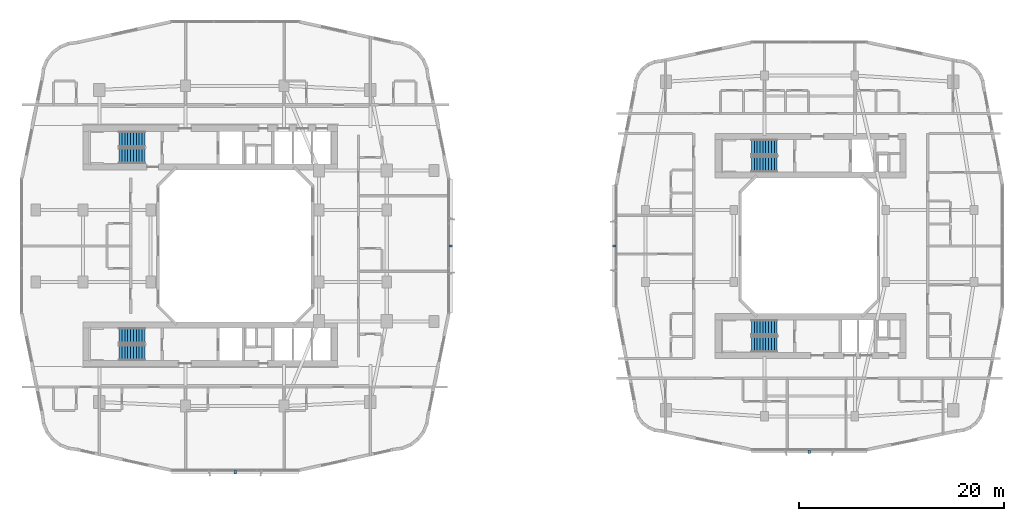
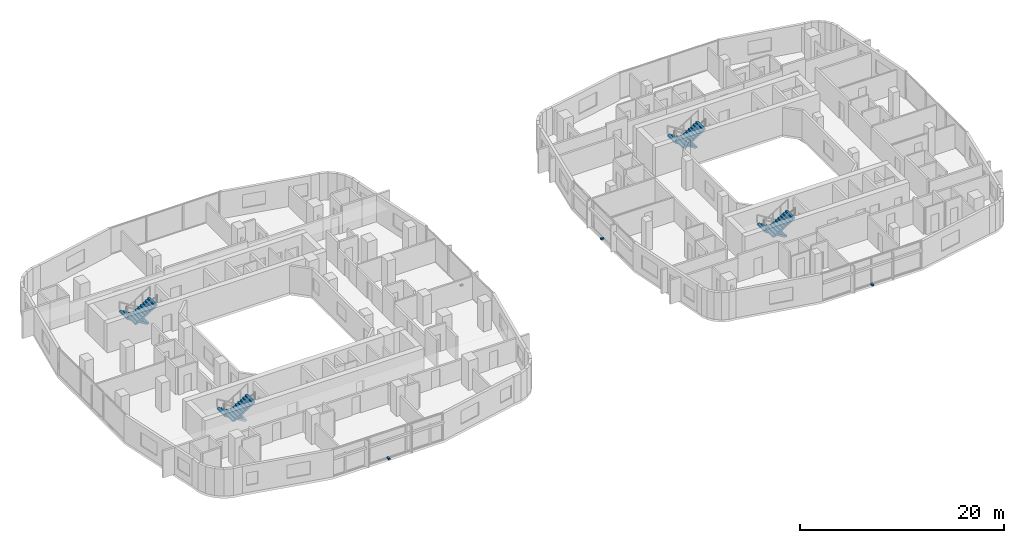
# One storey, part 22 of 27: 8 stair flights, 4 discrete accessories, 4 elements without a shape of their own.
"""IFC4 building model written with IfcOpenShell, lengths in metres."""

from ifc_helpers import new_model, si_unit, derived_unit, direction, frame, origin, origin_2d, place, context, subcontext, project, spatial, polyline, rectangle, outline, extrude, material, type_object, element, aggregate, save


model = new_model("IFC4")

# Units and contexts
model_context = context("Model", 3, precision=1e-05, world=origin(), true_north=direction((0.0, 1.0)))
body_context = subcontext(model_context, "Body", "Model", "MODEL_VIEW")
ifc_project = project(units=[si_unit("LENGTHUNIT", "METRE"), si_unit("AREAUNIT", "SQUARE_METRE"), si_unit("VOLUMEUNIT", "CUBIC_METRE"), si_unit("PLANEANGLEUNIT", "RADIAN"), si_unit("MASSUNIT", "GRAM", prefix="KILO"), derived_unit("THERMALTRANSMITTANCEUNIT", [(si_unit("POWERUNIT", "WATT"), 1), (si_unit("LENGTHUNIT", "METRE"), -2), (si_unit("THERMODYNAMICTEMPERATUREUNIT", "KELVIN"), -1)])], contexts=[model_context])

# Site, building, storey
site_placement = place(None, origin())
site = spatial("IfcSite", under=ifc_project, at=site_placement, CompositionType="ELEMENT")
building_placement = place(site_placement, origin())
building = spatial("IfcBuilding", under=site, at=building_placement, Name="Kivonza Crest Hotel", CompositionType="ELEMENT")
storey_placement = place(building_placement, frame((0.0, 0.0, 31.0)))
storey = spatial("IfcBuildingStorey", under=building, at=storey_placement, Name="L07", CompositionType="ELEMENT", Elevation=31.0)

# Stair, stair flights
ifc_material_1 = material(Name="Concrete C40/50", Category="concrete")
stair_type = type_object("IfcStairType", Name="ST-DL-20R", PredefinedType="HALF_TURN_STAIR", material=ifc_material_1)
stair_1_placement = place(storey_placement, origin())
stair_1 = element("IfcStair", 1, at=stair_1_placement, inside=storey, type_object=stair_type, Name="L07 Protected Exit Stair ST-T1-N", PredefinedType="HALF_TURN_STAIR")
stair_flight_type = type_object("IfcStairFlightType", Name="SFL-RC-10R", PredefinedType="STRAIGHT", material=ifc_material_1)
stair_flight_1_placement = place(storey_placement, frame((12.239990234375, 35.409912109375, 0.0), z_axis=(0.0, 0.0, 1.0), x_axis=(-1.0, 0.0, 0.0)))
stair_flight_1 = element("IfcStairFlight", 2, at=stair_flight_1_placement, type_object=stair_flight_type, Name="ST-T1-N flight 1", NumberOfRisers=10, NumberOfTreads=9, PredefinedType="STRAIGHT", RiserHeight=0.175, TreadLength=0.28, context=body_context, shape_type="SweptSolid", body=[
    extrude(outline(polyline([(0.0, 0.0), (0.0, 0.175048828125), (0.280029296875, 0.175048828125), (0.280029296875, 0.35009765625), (0.56005859375, 0.35009765625), (0.56005859375, 0.52490234375), (0.840087890625, 0.52490234375), (0.840087890625, 0.699951171875), (1.1201171875, 0.699951171875), (1.1201171875, 0.875), (1.39990234375, 0.875), (1.39990234375, 1.050048828125), (1.679931640625, 1.050048828125), (1.679931640625, 1.22509765625), (1.9599609375, 1.22509765625), (1.9599609375, 1.39990234375), (2.239990234375, 1.39990234375), (2.239990234375, 1.574951171875), (2.52001953125, 1.574951171875), (2.52001953125, 1.75), (2.52001953125, 1.398193359375), (0.28271484375, 0.0), (0.0, 0.0)])), frame((0.0, 0.75, 0.0), z_axis=(0.0, -1.0, 0.0), x_axis=(1.0, 0.0, 0.0)), (0.0, 0.0, 1.0), 1.5),
])
stair_flight_2_placement = place(storey_placement, frame((9.719970703125, 33.77001953125, 1.75), z_axis=(0.0, 0.0, 1.0), x_axis=(1.0, 0.0, 0.0)))
stair_flight_2 = element("IfcStairFlight", 3, at=stair_flight_2_placement, type_object=stair_flight_type, Name="ST-T1-N flight 2", NumberOfRisers=10, NumberOfTreads=9, PredefinedType="STRAIGHT", RiserHeight=0.175, TreadLength=0.28, context=body_context, shape_type="SweptSolid", body=[
    extrude(outline(polyline([(0.0, 0.0), (0.0, 0.175048828125), (0.280029296875, 0.175048828125), (0.280029296875, 0.35009765625), (0.56005859375, 0.35009765625), (0.56005859375, 0.52490234375), (0.840087890625, 0.52490234375), (0.840087890625, 0.699951171875), (1.1201171875, 0.699951171875), (1.1201171875, 0.875), (1.39990234375, 0.875), (1.39990234375, 1.050048828125), (1.679931640625, 1.050048828125), (1.679931640625, 1.22509765625), (1.9599609375, 1.22509765625), (1.9599609375, 1.39990234375), (2.239990234375, 1.39990234375), (2.239990234375, 1.574951171875), (2.52001953125, 1.574951171875), (2.52001953125, 1.75), (2.52001953125, 1.398193359375), (0.28271484375, 0.0), (0.0, 0.0)])), frame((0.0, 0.75, 0.0), z_axis=(0.0, -1.0, 0.0), x_axis=(1.0, 0.0, 0.0)), (0.0, 0.0, 1.0), 1.5),
])
aggregate(stair_1, [stair_flight_1, stair_flight_2])

stair_2_placement = place(storey_placement, origin())
stair_2 = element("IfcStair", 4, at=stair_2_placement, inside=storey, type_object=stair_type, Name="L07 Protected Exit Stair ST-T1-S", PredefinedType="HALF_TURN_STAIR")
stair_flight_3_placement = place(storey_placement, frame((12.239990234375, 16.25, 0.0), z_axis=(0.0, 0.0, 1.0), x_axis=(-1.0, 0.0, 0.0)))
stair_flight_3 = element("IfcStairFlight", 5, at=stair_flight_3_placement, type_object=stair_flight_type, Name="ST-T1-S flight 1", NumberOfRisers=10, NumberOfTreads=9, PredefinedType="STRAIGHT", RiserHeight=0.175, TreadLength=0.28, context=body_context, shape_type="SweptSolid", body=[
    extrude(outline(polyline([(0.0, 0.0), (0.0, 0.175048828125), (0.280029296875, 0.175048828125), (0.280029296875, 0.35009765625), (0.56005859375, 0.35009765625), (0.56005859375, 0.52490234375), (0.840087890625, 0.52490234375), (0.840087890625, 0.699951171875), (1.1201171875, 0.699951171875), (1.1201171875, 0.875), (1.39990234375, 0.875), (1.39990234375, 1.050048828125), (1.679931640625, 1.050048828125), (1.679931640625, 1.22509765625), (1.9599609375, 1.22509765625), (1.9599609375, 1.39990234375), (2.239990234375, 1.39990234375), (2.239990234375, 1.574951171875), (2.52001953125, 1.574951171875), (2.52001953125, 1.75), (2.52001953125, 1.398193359375), (0.28271484375, 0.0), (0.0, 0.0)])), frame((0.0, 0.75, 0.0), z_axis=(0.0, -1.0, 0.0), x_axis=(1.0, 0.0, 0.0)), (0.0, 0.0, 1.0), 1.5),
])
stair_flight_4_placement = place(storey_placement, frame((9.719970703125, 14.610107421875, 1.75), z_axis=(0.0, 0.0, 1.0), x_axis=(1.0, 0.0, 0.0)))
stair_flight_4 = element("IfcStairFlight", 6, at=stair_flight_4_placement, type_object=stair_flight_type, Name="ST-T1-S flight 2", NumberOfRisers=10, NumberOfTreads=9, PredefinedType="STRAIGHT", RiserHeight=0.175, TreadLength=0.28, context=body_context, shape_type="SweptSolid", body=[
    extrude(outline(polyline([(0.0, 0.0), (0.0, 0.175048828125), (0.280029296875, 0.175048828125), (0.280029296875, 0.35009765625), (0.56005859375, 0.35009765625), (0.56005859375, 0.52490234375), (0.840087890625, 0.52490234375), (0.840087890625, 0.699951171875), (1.1201171875, 0.699951171875), (1.1201171875, 0.875), (1.39990234375, 0.875), (1.39990234375, 1.050048828125), (1.679931640625, 1.050048828125), (1.679931640625, 1.22509765625), (1.9599609375, 1.22509765625), (1.9599609375, 1.39990234375), (2.239990234375, 1.39990234375), (2.239990234375, 1.574951171875), (2.52001953125, 1.574951171875), (2.52001953125, 1.75), (2.52001953125, 1.398193359375), (0.28271484375, 0.0), (0.0, 0.0)])), frame((0.0, 0.75, 0.0), z_axis=(0.0, -1.0, 0.0), x_axis=(1.0, 0.0, 0.0)), (0.0, 0.0, 1.0), 1.5),
])
aggregate(stair_2, [stair_flight_3, stair_flight_4])

stair_3_placement = place(storey_placement, origin())
stair_3 = element("IfcStair", 7, at=stair_3_placement, inside=storey, type_object=stair_type, Name="L07 Protected Exit Stair ST-T2-N", PredefinedType="HALF_TURN_STAIR")
stair_flight_5_placement = place(storey_placement, frame((73.840087890625, 34.610107421875, 0.0), z_axis=(0.0, 0.0, 1.0), x_axis=(-1.0, 0.0, 0.0)))
stair_flight_5 = element("IfcStairFlight", 8, at=stair_flight_5_placement, type_object=stair_flight_type, Name="ST-T2-N flight 1", NumberOfRisers=10, NumberOfTreads=9, PredefinedType="STRAIGHT", RiserHeight=0.175, TreadLength=0.28, context=body_context, shape_type="SweptSolid", body=[
    extrude(outline(polyline([(0.0, 0.0), (0.0, 0.175048828125), (0.280029296875, 0.175048828125), (0.280029296875, 0.35009765625), (0.56005859375, 0.35009765625), (0.56005859375, 0.52490234375), (0.840087890625, 0.52490234375), (0.840087890625, 0.699951171875), (1.1201171875, 0.699951171875), (1.1201171875, 0.875), (1.39990234375, 0.875), (1.39990234375, 1.050048828125), (1.679931640625, 1.050048828125), (1.679931640625, 1.22509765625), (1.9599609375, 1.22509765625), (1.9599609375, 1.39990234375), (2.239990234375, 1.39990234375), (2.239990234375, 1.574951171875), (2.52001953125, 1.574951171875), (2.52001953125, 1.75), (2.52001953125, 1.398193359375), (0.28271484375, 0.0), (0.0, 0.0)])), frame((0.0, 0.75, 0.0), z_axis=(0.0, -1.0, 0.0), x_axis=(1.0, 0.0, 0.0)), (0.0, 0.0, 1.0), 1.5),
])
stair_flight_6_placement = place(storey_placement, frame((71.320068359375, 32.969970703125, 1.75), z_axis=(0.0, 0.0, 1.0), x_axis=(1.0, 0.0, 0.0)))
stair_flight_6 = element("IfcStairFlight", 9, at=stair_flight_6_placement, type_object=stair_flight_type, Name="ST-T2-N flight 2", NumberOfRisers=10, NumberOfTreads=9, PredefinedType="STRAIGHT", RiserHeight=0.175, TreadLength=0.28, context=body_context, shape_type="SweptSolid", body=[
    extrude(outline(polyline([(0.0, 0.0), (0.0, 0.175048828125), (0.280029296875, 0.175048828125), (0.280029296875, 0.35009765625), (0.56005859375, 0.35009765625), (0.56005859375, 0.52490234375), (0.840087890625, 0.52490234375), (0.840087890625, 0.699951171875), (1.1201171875, 0.699951171875), (1.1201171875, 0.875), (1.39990234375, 0.875), (1.39990234375, 1.050048828125), (1.679931640625, 1.050048828125), (1.679931640625, 1.22509765625), (1.9599609375, 1.22509765625), (1.9599609375, 1.39990234375), (2.239990234375, 1.39990234375), (2.239990234375, 1.574951171875), (2.52001953125, 1.574951171875), (2.52001953125, 1.75), (2.52001953125, 1.398193359375), (0.28271484375, 0.0), (0.0, 0.0)])), frame((0.0, 0.75, 0.0), z_axis=(0.0, -1.0, 0.0), x_axis=(1.0, 0.0, 0.0)), (0.0, 0.0, 1.0), 1.5),
])
aggregate(stair_3, [stair_flight_5, stair_flight_6])

stair_4_placement = place(storey_placement, origin())
stair_4 = element("IfcStair", 10, at=stair_4_placement, inside=storey, type_object=stair_type, Name="L07 Protected Exit Stair ST-T2-S", PredefinedType="HALF_TURN_STAIR")
stair_flight_7_placement = place(storey_placement, frame((73.840087890625, 17.050048828125, 0.0), z_axis=(0.0, 0.0, 1.0), x_axis=(-1.0, 0.0, 0.0)))
stair_flight_7 = element("IfcStairFlight", 11, at=stair_flight_7_placement, type_object=stair_flight_type, Name="ST-T2-S flight 1", NumberOfRisers=10, NumberOfTreads=9, PredefinedType="STRAIGHT", RiserHeight=0.175, TreadLength=0.28, context=body_context, shape_type="SweptSolid", body=[
    extrude(outline(polyline([(0.0, 0.0), (0.0, 0.175048828125), (0.280029296875, 0.175048828125), (0.280029296875, 0.35009765625), (0.56005859375, 0.35009765625), (0.56005859375, 0.52490234375), (0.840087890625, 0.52490234375), (0.840087890625, 0.699951171875), (1.1201171875, 0.699951171875), (1.1201171875, 0.875), (1.39990234375, 0.875), (1.39990234375, 1.050048828125), (1.679931640625, 1.050048828125), (1.679931640625, 1.22509765625), (1.9599609375, 1.22509765625), (1.9599609375, 1.39990234375), (2.239990234375, 1.39990234375), (2.239990234375, 1.574951171875), (2.52001953125, 1.574951171875), (2.52001953125, 1.75), (2.52001953125, 1.398193359375), (0.28271484375, 0.0), (0.0, 0.0)])), frame((0.0, 0.75, 0.0), z_axis=(0.0, -1.0, 0.0), x_axis=(1.0, 0.0, 0.0)), (0.0, 0.0, 1.0), 1.5),
])
stair_flight_8_placement = place(storey_placement, frame((71.320068359375, 15.409912109375, 1.75), z_axis=(0.0, 0.0, 1.0), x_axis=(1.0, 0.0, 0.0)))
stair_flight_8 = element("IfcStairFlight", 12, at=stair_flight_8_placement, type_object=stair_flight_type, Name="ST-T2-S flight 2", NumberOfRisers=10, NumberOfTreads=9, PredefinedType="STRAIGHT", RiserHeight=0.175, TreadLength=0.28, context=body_context, shape_type="SweptSolid", body=[
    extrude(outline(polyline([(0.0, 0.0), (0.0, 0.175048828125), (0.280029296875, 0.175048828125), (0.280029296875, 0.35009765625), (0.56005859375, 0.35009765625), (0.56005859375, 0.52490234375), (0.840087890625, 0.52490234375), (0.840087890625, 0.699951171875), (1.1201171875, 0.699951171875), (1.1201171875, 0.875), (1.39990234375, 0.875), (1.39990234375, 1.050048828125), (1.679931640625, 1.050048828125), (1.679931640625, 1.22509765625), (1.9599609375, 1.22509765625), (1.9599609375, 1.39990234375), (2.239990234375, 1.39990234375), (2.239990234375, 1.574951171875), (2.52001953125, 1.574951171875), (2.52001953125, 1.75), (2.52001953125, 1.398193359375), (0.28271484375, 0.0), (0.0, 0.0)])), frame((0.0, 0.75, 0.0), z_axis=(0.0, -1.0, 0.0), x_axis=(1.0, 0.0, 0.0)), (0.0, 0.0, 1.0), 1.5),
])
aggregate(stair_4, [stair_flight_7, stair_flight_8])

# Discrete accessories
ifc_material_2 = material(Name="Stainless steel 316", Category="steel")
discrete_accessory_type = type_object("IfcDiscreteAccessoryType", Name="AC-BRACKET-240", PredefinedType="BRACKET", material=ifc_material_2)
for number, where, z_axis, x_axis, name in (
    (13, (21.0400390625, 2.9599609375, -0.009765625), (0.0, 0.0, 1.0), (1.0, 0.0, 0.0), "L07 terracotta baguette support bracket CW-T1-L07-08"),
    (14, (42.0400390625, 25.0, -0.009765625), (0.0, 0.0, 1.0), (0.0, 1.0, 0.0), "L07 terracotta baguette support bracket CW-T1-L07-17"),
    (15, (76.9599609375, 4.9599609375, -0.009765625), (0.0, 0.0, 1.0), (1.0, 0.0, 0.0), "L07 terracotta baguette support bracket CW-T2-L07-08"),
    (16, (57.9599609375, 25.0, -0.009765625), (0.0, 0.0, 1.0), (0.0, -1.0, 0.0), "L07 terracotta baguette support bracket CW-T2-L07-35"),
):
    element("IfcDiscreteAccessory", number, at=place(storey_placement, frame(where, z_axis=z_axis, x_axis=x_axis)), inside=storey, type_object=discrete_accessory_type, Name=name, PredefinedType="BRACKET", context=body_context, shape_type="SweptSolid", body=[
        extrude(rectangle(XDim=0.219970703125, YDim=0.340087890625, at=origin_2d()), origin(), (0.0, 0.0, 1.0), 0.179931640625),
    ])

save(model, "model.ifc")
